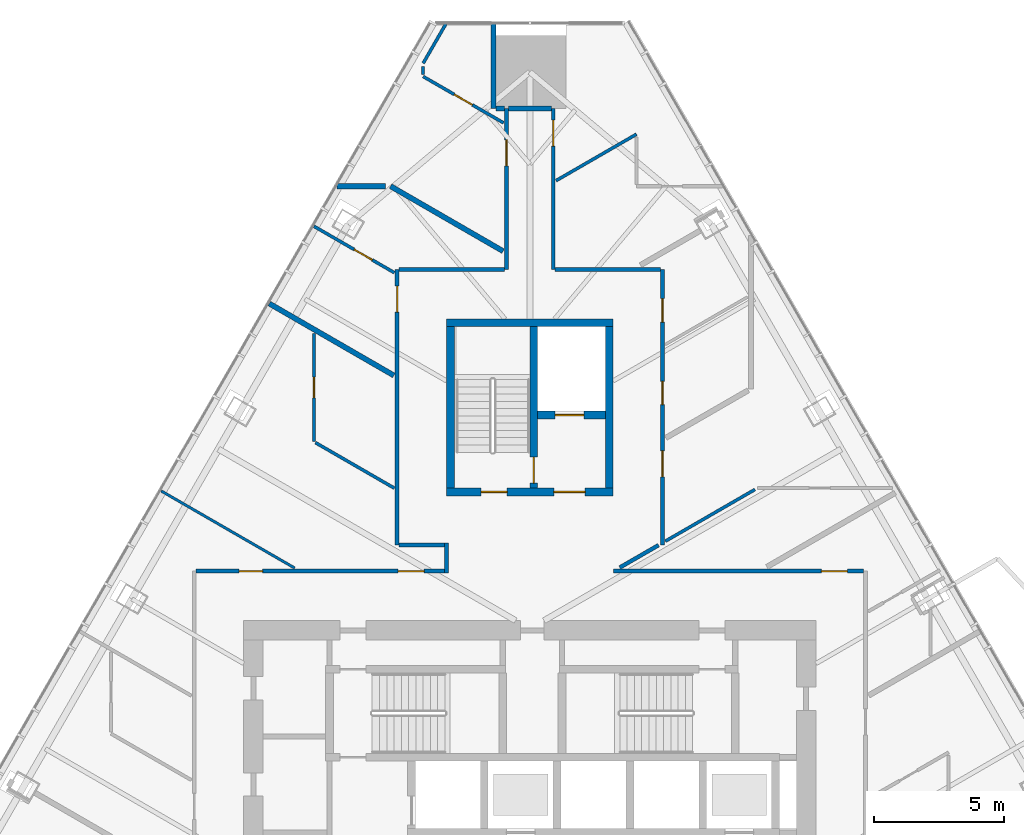
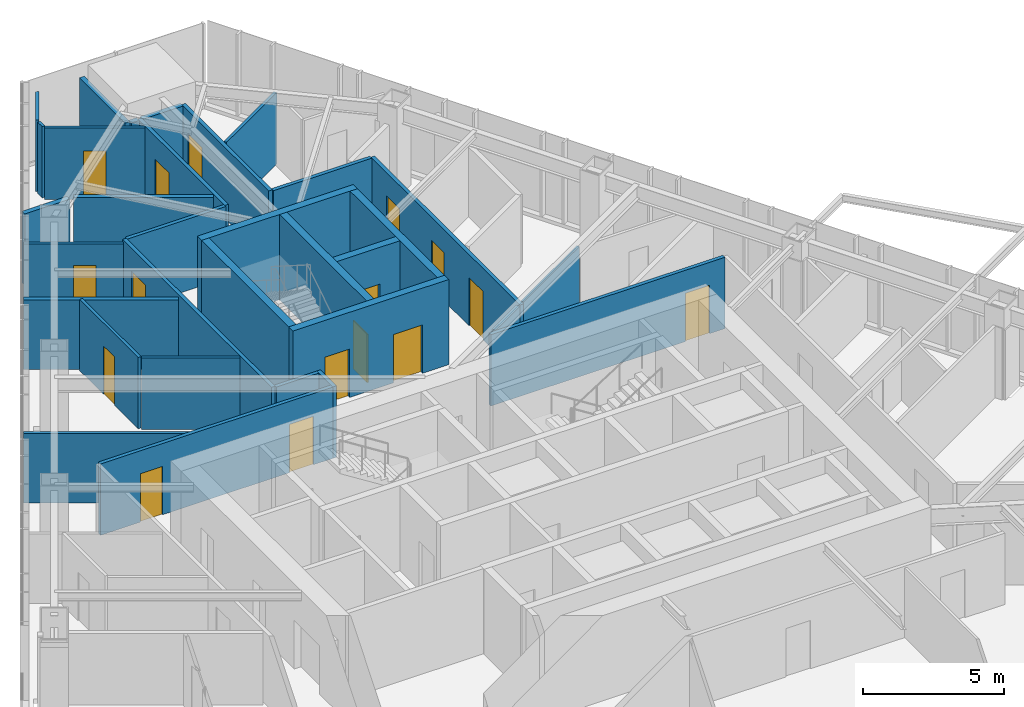
# One storey, part 17 of 21: 32 walls, 16 doors, 16 openings.
"""IFC4 building model written with IfcOpenShell, lengths in metres."""

import ifcopenshell
import ifcopenshell.guid

model = None  # the IFC model being written
_history = None  # IfcOwnerHistory: only IFC2X3 demands one
_inside = {}  # id of a spatial element -> (the spatial element, [elements in it])
_under = {}  # id of a project, library or spatial element -> (it, [spatial elements below it])
_declared = {}  # id of a project -> (the project, [libraries it declares])
_typed = {}  # id of a type object -> (the type object, [elements of that type])
_made_of = {}  # id of a material, layer set ... -> (it, [elements and type objects made of it])


def new_model(schema):
    """Start an empty IFC model of exactly this schema.

    Asked for "IFC4X3", IfcOpenShell would pick the latest addendum, in which some entities
    have other attributes; the version numbers below select the first issue.
    IFC2X3 requires an IfcOwnerHistory on every rooted entity: one is made here for all.
    """
    global model, _history
    if schema == "IFC4X3":
        model = ifcopenshell.file(schema_version=(4, 3, 0, 0))
    else:
        model = ifcopenshell.file(schema=schema)
    _inside.clear()
    _under.clear()
    _declared.clear()
    _typed.clear()
    _made_of.clear()
    _history = None
    if model.schema == "IFC2X3":
        org = make("IfcOrganization", Name="unknown")
        user = make(
            "IfcPersonAndOrganization",
            ThePerson=make("IfcPerson", FamilyName="unknown"),
            TheOrganization=org,
        )
        app = make(
            "IfcApplication",
            ApplicationDeveloper=org,
            Version="unknown",
            ApplicationFullName="unknown",
            ApplicationIdentifier="unknown",
        )
        _history = make(
            "IfcOwnerHistory",
            OwningUser=user,
            OwningApplication=app,
            ChangeAction="ADDED",
            CreationDate=0,
        )
    return model


def make(cls, **values):
    """One entity of the class cls with the attributes given. An attribute that is None is left unset."""
    return model.create_entity(
        cls, **{name: value for name, value in values.items() if value is not None}
    )


def rooted(cls, **values):
    """An entity with a GlobalId (a new one), such as an element, a storey or a relation."""
    return make(cls, GlobalId=ifcopenshell.guid.new(), OwnerHistory=_history, **values)


def si_unit(unit_type, name, prefix=None):
    """IfcSIUnit, for example si_unit("LENGTHUNIT", "METRE", prefix="MILLI")."""
    return make("IfcSIUnit", UnitType=unit_type, Prefix=prefix, Name=name)


def assignment(units):
    """IfcUnitAssignment: the units of a project."""
    return None if units is None else make("IfcUnitAssignment", Units=units)


def point(xyz):
    """IfcCartesianPoint."""
    return None if xyz is None else make("IfcCartesianPoint", Coordinates=xyz)


def direction(xyz):
    """IfcDirection."""
    return None if xyz is None else make("IfcDirection", DirectionRatios=xyz)


def frame(location, z_axis=None, x_axis=None):
    """IfcAxis2Placement3D, a coordinate frame: its origin and axes. An axis left out is left unset."""
    return make(
        "IfcAxis2Placement3D",
        Location=point(location),
        Axis=direction(z_axis),
        RefDirection=direction(x_axis),
    )


def frame_2d(location, x_axis=None):
    """IfcAxis2Placement2D, a coordinate frame in the plane: its origin and x axis."""
    return make(
        "IfcAxis2Placement2D", Location=point(location), RefDirection=direction(x_axis)
    )


def origin():
    """The frame at (0, 0, 0) with its axes left unset."""
    return frame((0.0, 0.0, 0.0))


def place(relative_to, where):
    """IfcLocalPlacement: puts the frame where relative to a parent placement (None: the world)."""
    return make(
        "IfcLocalPlacement", PlacementRelTo=relative_to, RelativePlacement=where
    )


def context(
    kind, dimensions, precision=None, world=None, true_north=None, identifier=None
):
    """IfcGeometricRepresentationContext, for example the 3D "Model" context."""
    return make(
        "IfcGeometricRepresentationContext",
        ContextIdentifier=identifier,
        ContextType=kind,
        CoordinateSpaceDimension=dimensions,
        Precision=precision,
        WorldCoordinateSystem=world,
        TrueNorth=true_north,
    )


def subcontext(parent, identifier, kind, view, scale=None):
    """IfcGeometricRepresentationSubContext, for example "Body" below "Model"."""
    return make(
        "IfcGeometricRepresentationSubContext",
        ContextIdentifier=identifier,
        ContextType=kind,
        ParentContext=parent,
        TargetScale=scale,
        TargetView=view,
    )


def project(units=None, contexts=None):
    """IfcProject with its units and contexts."""
    return rooted(
        "IfcProject",
        Name="project",
        RepresentationContexts=contexts,
        UnitsInContext=assignment(units),
    )


def spatial(cls, under=None, at=None, **own):
    """A site, building, storey or space (cls), placed at a placement, below another one or the project."""
    s = rooted(cls, ObjectPlacement=at, **own)
    if under is not None:
        _under.setdefault(under.id(), (under, []))[1].append(s)
    return s


def profile(cls, at=None, kind="AREA", **sizes):
    """A parametric profile (cls). Its sizes go by their IFC names, for example OverallWidth=200.0."""
    return make(cls, ProfileType=kind, Position=at, **sizes)


def rectangle(**sizes):
    """IfcRectangleProfileDef."""
    return profile("IfcRectangleProfileDef", **sizes)


def extrude(swept, where, along, depth):
    """IfcExtrudedAreaSolid: the profile swept, set in the frame where, extruded along a direction by depth."""
    return make(
        "IfcExtrudedAreaSolid",
        SweptArea=swept,
        Position=where,
        ExtrudedDirection=direction(along),
        Depth=depth,
    )


def shape(context_of_items, identifier, shape_type, items):
    """IfcShapeRepresentation: the items that make up one representation, for example the "Body"."""
    return make(
        "IfcShapeRepresentation",
        ContextOfItems=context_of_items,
        RepresentationIdentifier=identifier,
        RepresentationType=shape_type,
        Items=items,
    )


def material(Name=None, Category=None):
    """IfcMaterial."""
    return make("IfcMaterial", Name=Name, Category=Category)


def layer(
    of_material, thickness, ventilated=None, Name=None, Category=None, Priority=None
):
    """IfcMaterialLayer: one layer of a wall or slab, of a material (None: an air gap)."""
    return make(
        "IfcMaterialLayer",
        Material=of_material,
        LayerThickness=thickness,
        IsVentilated=ventilated,
        Name=Name,
        Category=Category,
        Priority=Priority,
    )


def layer_set(layers, Name=None):
    """IfcMaterialLayerSet."""
    return make("IfcMaterialLayerSet", MaterialLayers=layers, LayerSetName=Name)


def made_of(thing, what):
    """Note that an element or type object is made of a material, layer set ...; save() writes the relation."""
    if what is not None:
        _made_of.setdefault(what.id(), (what, []))[1].append(thing)
    return thing


def type_object(cls, material=None, **own):
    """A type object (cls), such as IfcWallType, which elements share."""
    return made_of(rooted(cls, **own), material)


def element(
    cls,
    number,
    at=None,
    inside=None,
    cuts=None,
    type_object=None,
    material=None,
    context=None,
    identifier="Body",
    shape_type=None,
    held_by="IfcProductDefinitionShape",
    body=None,
    shapes=None,
    **own,
):
    """One element of the class cls, such as IfcWall. Its Tag is "e" and its number.

    at: its placement. inside: the storey or other place that contains it. cuts: it is an
    opening in that element (IfcRelVoidsElement). A single representation is given by context,
    identifier, shape_type and body (its items); several are given by shapes. held_by: the class
    of the entity that holds the representations. save() writes the other relations.
    """
    e = rooted(cls, Tag="e%d" % number, ObjectPlacement=at, **own)
    if body is not None:
        shapes = [shape(context, identifier, shape_type, body)]
    if shapes is not None:
        e.Representation = make(held_by, Representations=shapes)
    if inside is not None:
        _inside.setdefault(inside.id(), (inside, []))[1].append(e)
    if cuts is not None:
        rooted(
            "IfcRelVoidsElement", RelatingBuildingElement=cuts, RelatedOpeningElement=e
        )
    if type_object is not None:
        _typed.setdefault(type_object.id(), (type_object, []))[1].append(e)
    return made_of(e, material)


def fill(opening, filler):
    """IfcRelFillsElement: the door or window that sits in an opening."""
    return rooted(
        "IfcRelFillsElement",
        RelatingOpeningElement=opening,
        RelatedBuildingElement=filler,
    )


def aggregate(whole, parts):
    """IfcRelAggregates: a whole, such as a stair, and the parts it consists of."""
    return rooted("IfcRelAggregates", RelatingObject=whole, RelatedObjects=parts)


def save(model, path):
    """Write the relations noted so far, then the file.

    IfcRelAggregates (storeys below a building ...), IfcRelContainedInSpatialStructure (elements
    in a storey), IfcRelDefinesByType, IfcRelAssociatesMaterial and IfcRelDeclares: one each for
    every whole, place, type object, material and project.
    """
    for whole, parts in _under.values():
        aggregate(whole, parts)
    for where, things in _inside.values():
        rooted(
            "IfcRelContainedInSpatialStructure",
            RelatedElements=things,
            RelatingStructure=where,
        )
    for kind, things in _typed.values():
        rooted("IfcRelDefinesByType", RelatedObjects=things, RelatingType=kind)
    for what, things in _made_of.values():
        rooted("IfcRelAssociatesMaterial", RelatedObjects=things, RelatingMaterial=what)
    for by, libraries in _declared.values():
        rooted("IfcRelDeclares", RelatingContext=by, RelatedDefinitions=libraries)
    model.write(path)


model = new_model("IFC4")

# Units and contexts
model_context = context("Model", 3, precision=1e-05, world=origin(), true_north=direction((0.0, 1.0)))
body_context = subcontext(model_context, "Body", "Model", "MODEL_VIEW")
ifc_project = project(units=[si_unit("LENGTHUNIT", "METRE"), si_unit("AREAUNIT", "SQUARE_METRE"), si_unit("VOLUMEUNIT", "CUBIC_METRE"), si_unit("PLANEANGLEUNIT", "RADIAN"), si_unit("MASSUNIT", "GRAM", prefix="KILO")], contexts=[model_context])

# Site, building, storey
site_placement = place(None, origin())
site = spatial("IfcSite", under=ifc_project, at=site_placement, CompositionType="ELEMENT")
building_placement = place(site_placement, origin())
building = spatial("IfcBuilding", under=site, at=building_placement, Name="Firuza Gate Tower and Library", CompositionType="ELEMENT")
storey_placement = place(building_placement, frame((0.0, 0.0, 222.10009765625)))
storey = spatial("IfcBuildingStorey", under=building, at=storey_placement, Name="L52", CompositionType="ELEMENT", Elevation=222.10009765625)

# Wall, openings, doors
ifc_material_1 = material(Name="Concrete C80/95", Category="concrete")
ifc_layer_1 = layer(ifc_material_1, 0.300048828125)
ifc_layer_set_1 = layer_set([ifc_layer_1], Name="Core wall 300 C80/95")
wall_type_1 = type_object("IfcWallType", Name="Core wall 300 C80/95", PredefinedType="SHEAR", material=ifc_layer_set_1)
wall_1_placement = place(storey_placement, frame((71.800048828125, 87.949951171875, 0.0), z_axis=(0.0, 0.0, 1.0), x_axis=(1.0, 0.0, 0.0)))
wall_1 = element("IfcWall", 1, at=wall_1_placement, inside=storey, type_object=wall_type_1, Name="Core wall L52 27", PredefinedType="SHEAR", context=body_context, shape_type="SweptSolid", body=[
    extrude(rectangle(XDim=6.39990234375, YDim=0.300048828125, at=frame_2d((3.199951171875, 0.0))), origin(), (0.0, 0.0, 1.0), 3.699951171875),
])
opening_1_placement = place(wall_1_placement, frame((1.324951171875, 0.0, 0.0)))
opening_1 = element("IfcOpeningElement", 2, at=opening_1_placement, cuts=wall_1, Name="Opening L52-K15", PredefinedType="OPENING", context=body_context, shape_type="SweptSolid", body=[
    extrude(rectangle(XDim=1.0, YDim=2.10009765625, at=frame_2d((0.5, 1.050048828125))), frame((0.0, 0.16015625, 0.0), z_axis=(0.0, -1.0, 0.0), x_axis=(1.0, 0.0, 0.0)), (0.0, 0.0, 1.0), 0.320068359375),
])
opening_2_placement = place(wall_1_placement, frame((4.125, 0.0, 0.0)))
opening_2 = element("IfcOpeningElement", 3, at=opening_2_placement, cuts=wall_1, Name="Opening L52-K17", PredefinedType="OPENING", context=body_context, shape_type="SweptSolid", body=[
    extrude(rectangle(XDim=1.199951171875, YDim=2.10009765625, at=frame_2d((0.60009765625, 1.050048828125))), frame((0.0, 0.16015625, 0.0), z_axis=(0.0, -1.0, 0.0), x_axis=(1.0, 0.0, 0.0)), (0.0, 0.0, 1.0), 0.320068359375),
])
ifc_material_2 = material(Name="Steel", Category="steel")
door_type_1 = type_object("IfcDoorType", Name="Fire door 1000x2100 FD90", OperationType="NOTDEFINED", PredefinedType="DOOR", material=ifc_material_2)
door_1_placement = place(opening_1_placement, origin())
door_1 = element("IfcDoor", 4, at=door_1_placement, inside=storey, type_object=door_type_1, Name="Door L52-K15", OperationType="SINGLE_SWING_RIGHT", OverallHeight=2.10009765625, OverallWidth=1.0, PredefinedType="DOOR", context=body_context, shape_type="SweptSolid", body=[
    extrude(rectangle(XDim=1.0, YDim=2.10009765625, at=frame_2d((0.5, 1.050048828125))), frame((0.0, 0.02490234375, 0.0), z_axis=(0.0, -1.0, 0.0), x_axis=(1.0, 0.0, 0.0)), (0.0, 0.0, 1.0), 0.050048828125),
])
fill(opening_1, door_1)
ifc_material_3 = material(Name="Steel", Category="steel")
door_type_2 = type_object("IfcDoorType", Name="Fire door 1200x2100 FD30S", OperationType="NOTDEFINED", PredefinedType="DOOR", material=ifc_material_3)
door_2_placement = place(opening_2_placement, origin())
door_2 = element("IfcDoor", 5, at=door_2_placement, inside=storey, type_object=door_type_2, Name="Door L52-K17", OperationType="SINGLE_SWING_RIGHT", OverallHeight=2.10009765625, OverallWidth=1.199951171875, PredefinedType="DOOR", context=body_context, shape_type="SweptSolid", body=[
    extrude(rectangle(XDim=1.199951171875, YDim=2.10009765625, at=frame_2d((0.60009765625, 1.050048828125))), frame((0.0, 0.02490234375, 0.0), z_axis=(0.0, -1.0, 0.0), x_axis=(1.0, 0.0, 0.0)), (0.0, 0.0, 1.0), 0.050048828125),
])
fill(opening_2, door_2)

# Walls
wall_2_placement = place(storey_placement, frame((71.800048828125, 94.449951171875, 0.0), z_axis=(0.0, 0.0, 1.0), x_axis=(1.0, 0.0, 0.0)))
element("IfcWall", 6, at=wall_2_placement, inside=storey, type_object=wall_type_1, Name="Core wall L52 28", PredefinedType="SHEAR", context=body_context, shape_type="SweptSolid", body=[
    extrude(rectangle(XDim=6.39990234375, YDim=0.300048828125, at=frame_2d((3.199951171875, 0.0))), origin(), (0.0, 0.0, 1.0), 3.699951171875),
])
for number, where, z_axis, x_axis, name in (
    (7, (71.949951171875, 88.10009765625, 0.0), (0.0, 0.0, 1.0), (0.0, 1.0, 0.0), "Core wall L52 29"),
    (8, (78.050048828125, 88.10009765625, 0.0), (0.0, 0.0, 1.0), (0.0, 1.0, 0.0), "Core wall L52 30"),
):
    element("IfcWall", number, at=place(storey_placement, frame(where, z_axis=z_axis, x_axis=x_axis)), inside=storey, type_object=wall_type_1, Name=name, PredefinedType="SHEAR", context=body_context, shape_type="SweptSolid", body=[
        extrude(rectangle(XDim=6.199951171875, YDim=0.300048828125, at=frame_2d((3.10009765625, 0.0))), origin(), (0.0, 0.0, 1.0), 3.699951171875),
    ])

# Wall, opening, door
wall_3_placement = place(storey_placement, frame((75.300048828125, 90.89990234375, 0.0), z_axis=(0.0, 0.0, 1.0), x_axis=(1.0, 0.0, 0.0)))
wall_3 = element("IfcWall", 9, at=wall_3_placement, inside=storey, type_object=wall_type_1, Name="Core wall L52 31", PredefinedType="SHEAR", context=body_context, shape_type="SweptSolid", body=[
    extrude(rectangle(XDim=2.599853515625, YDim=0.300048828125, at=frame_2d((1.2998046875, 0.0))), origin(), (0.0, 0.0, 1.0), 3.699951171875),
])
opening_3_placement = place(wall_3_placement, frame((0.675048828125, 0.0, 0.0)))
opening_3 = element("IfcOpeningElement", 10, at=opening_3_placement, cuts=wall_3, Name="Opening LD-SV1-L52", PredefinedType="OPENING", context=body_context, shape_type="SweptSolid", body=[
    extrude(rectangle(XDim=1.10009765625, YDim=2.10009765625, at=frame_2d((0.550048828125, 1.050048828125))), frame((0.0, 0.16015625, 0.0), z_axis=(0.0, -1.0, 0.0), x_axis=(1.0, 0.0, 0.0)), (0.0, 0.0, 1.0), 0.320068359375),
])
ifc_material_4 = material(Name="Stainless steel", Category="steel")
door_type_3 = type_object("IfcDoorType", Name="Lift landing door 1100x2100", OperationType="DOUBLE_DOOR_SLIDING", PredefinedType="DOOR", material=ifc_material_4)
door_3_placement = place(opening_3_placement, origin())
door_3 = element("IfcDoor", 11, at=door_3_placement, inside=storey, type_object=door_type_3, Name="Landing door SV1 L52", OperationType="DOUBLE_DOOR_SLIDING", OverallHeight=2.10009765625, OverallWidth=1.10009765625, PredefinedType="DOOR", context=body_context, shape_type="SweptSolid", body=[
    extrude(rectangle(XDim=1.10009765625, YDim=2.10009765625, at=frame_2d((0.550048828125, 1.050048828125))), frame((0.0, 0.02490234375, 0.0), z_axis=(0.0, -1.0, 0.0), x_axis=(1.0, 0.0, 0.0)), (0.0, 0.0, 1.0), 0.050048828125),
])
fill(opening_3, door_3)

wall_4_placement = place(storey_placement, frame((75.14990234375, 88.10009765625, 0.0), z_axis=(0.0, 0.0, 1.0), x_axis=(0.0, 1.0, 0.0)))
wall_4 = element("IfcWall", 12, at=wall_4_placement, inside=storey, type_object=wall_type_1, Name="Core wall L52 32", PredefinedType="SHEAR", context=body_context, shape_type="SweptSolid", body=[
    extrude(rectangle(XDim=6.199951171875, YDim=0.300048828125, at=frame_2d((3.10009765625, 0.0))), origin(), (0.0, 0.0, 1.0), 3.699951171875),
])
opening_4_placement = place(wall_4_placement, frame((0.18505859375, 0.0, 0.0)))
opening_4 = element("IfcOpeningElement", 13, at=opening_4_placement, cuts=wall_4, Name="Opening L52-K16", PredefinedType="OPENING", context=body_context, shape_type="SweptSolid", body=[
    extrude(rectangle(XDim=1.0, YDim=2.10009765625, at=frame_2d((0.5, 1.050048828125))), frame((0.0, 0.16015625, 0.0), z_axis=(0.0, -1.0, 0.0), x_axis=(1.0, 0.0, 0.0)), (0.0, 0.0, 1.0), 0.320068359375),
])
door_4_placement = place(opening_4_placement, origin())
door_4 = element("IfcDoor", 14, at=door_4_placement, inside=storey, type_object=door_type_1, Name="Door L52-K16", OperationType="SINGLE_SWING_LEFT", OverallHeight=2.10009765625, OverallWidth=1.0, PredefinedType="DOOR", context=body_context, shape_type="SweptSolid", body=[
    extrude(rectangle(XDim=1.0, YDim=2.10009765625, at=frame_2d((0.5, 1.050048828125))), frame((0.0, 0.02490234375, 0.0), z_axis=(0.0, -1.0, 0.0), x_axis=(1.0, 0.0, 0.0)), (0.0, 0.0, 1.0), 0.050048828125),
])
fill(opening_4, door_4)

# Wall, openings, doors
ifc_material_5 = material(Name="Gypsum board partition")
ifc_layer_2 = layer(ifc_material_5, 0.14990234375)
ifc_layer_set_2 = layer_set([ifc_layer_2], Name="Corridor wall 150 double board on steel studs")
wall_type_2 = type_object("IfcWallType", Name="Corridor wall 150 double board on steel studs", PredefinedType="PARTITIONING", material=ifc_layer_set_2)
wall_5_placement = place(storey_placement, frame((62.175537109375, 84.89990234375, 0.0), z_axis=(0.0, 0.0, 1.0), x_axis=(1.0, 0.0, 0.0)))
wall_5 = element("IfcWall", 15, at=wall_5_placement, inside=storey, type_object=wall_type_2, Name="f:L52:w003", PredefinedType="PARTITIONING", context=body_context, shape_type="SweptSolid", body=[
    extrude(rectangle(XDim=9.549560546875, YDim=0.14990234375, at=frame_2d((4.77490234375, 0.0))), origin(), (0.0, 0.0, 1.0), 3.096923828125),
])
opening_5_placement = place(wall_5_placement, frame((1.64892578125, 0.0, 0.0)))
opening_5 = element("IfcOpeningElement", 16, at=opening_5_placement, cuts=wall_5, Name="Opening L52-05", PredefinedType="OPENING", context=body_context, shape_type="SweptSolid", body=[
    extrude(rectangle(XDim=0.89990234375, YDim=2.10009765625, at=frame_2d((0.449951171875, 1.050048828125))), frame((0.0, 0.0849609375, 0.0), z_axis=(0.0, -1.0, 0.0), x_axis=(1.0, 0.0, 0.0)), (0.0, 0.0, 1.0), 0.169921875),
])
opening_6_placement = place(wall_5_placement, frame((7.759033203125, 0.0, 0.0)))
opening_6 = element("IfcOpeningElement", 17, at=opening_6_placement, cuts=wall_5, Name="Opening L52-06", PredefinedType="OPENING", context=body_context, shape_type="SweptSolid", body=[
    extrude(rectangle(XDim=1.0, YDim=2.10009765625, at=frame_2d((0.5, 1.050048828125))), frame((0.0, 0.0849609375, 0.0), z_axis=(0.0, -1.0, 0.0), x_axis=(1.0, 0.0, 0.0)), (0.0, 0.0, 1.0), 0.169921875),
])
ifc_material_6 = material(Name="Steel door and timber leaf", Category="steel")
door_type_4 = type_object("IfcDoorType", Name="Fire door 1000 x 2100 steel frame, timber leaf", OperationType="NOTDEFINED", PredefinedType="DOOR", material=ifc_material_6)
door_5_placement = place(opening_6_placement, origin())
door_5 = element("IfcDoor", 18, at=door_5_placement, inside=storey, type_object=door_type_4, Name="f:L52:d006", OperationType="SINGLE_SWING_LEFT", OverallHeight=2.10009765625, OverallWidth=1.0, PredefinedType="DOOR", context=body_context, shape_type="SweptSolid", body=[
    extrude(rectangle(XDim=1.0, YDim=2.10009765625, at=frame_2d((0.5, 1.050048828125))), frame((0.0, 0.02490234375, 0.0), z_axis=(0.0, -1.0, 0.0), x_axis=(1.0, 0.0, 0.0)), (0.0, 0.0, 1.0), 0.050048828125),
])
fill(opening_6, door_5)
ifc_material_7 = material(Name="Steel door and timber leaf", Category="steel")
door_type_5 = type_object("IfcDoorType", Name="Fire door 900 x 2100 steel frame, timber leaf", OperationType="NOTDEFINED", PredefinedType="DOOR", material=ifc_material_7)
door_6_placement = place(opening_5_placement, origin())
door_6 = element("IfcDoor", 19, at=door_6_placement, inside=storey, type_object=door_type_5, Name="f:L52:d005", OperationType="SINGLE_SWING_LEFT", OverallHeight=2.10009765625, OverallWidth=0.89990234375, PredefinedType="DOOR", context=body_context, shape_type="SweptSolid", body=[
    extrude(rectangle(XDim=0.89990234375, YDim=2.10009765625, at=frame_2d((0.449951171875, 1.050048828125))), frame((0.0, 0.02490234375, 0.0), z_axis=(0.0, -1.0, 0.0), x_axis=(1.0, 0.0, 0.0)), (0.0, 0.0, 1.0), 0.050048828125),
])
fill(opening_5, door_6)

# Wall, opening, door
wall_6_placement = place(storey_placement, frame((78.21533203125, 84.89990234375, 0.0), z_axis=(0.0, 0.0, 1.0), x_axis=(1.0, 0.0, 0.0)))
wall_6 = element("IfcWall", 20, at=wall_6_placement, inside=storey, type_object=wall_type_2, Name="f:L52:w004", PredefinedType="PARTITIONING", context=body_context, shape_type="SweptSolid", body=[
    extrude(rectangle(XDim=9.609130859375, YDim=0.14990234375, at=frame_2d((4.8046875, 0.0))), origin(), (0.0, 0.0, 1.0), 3.096923828125),
])
opening_7_placement = place(wall_6_placement, frame((7.989501953125, 0.0, 0.0)))
opening_7 = element("IfcOpeningElement", 21, at=opening_7_placement, cuts=wall_6, Name="Opening L52-07", PredefinedType="OPENING", context=body_context, shape_type="SweptSolid", body=[
    extrude(rectangle(XDim=1.0, YDim=2.10009765625, at=frame_2d((0.5, 1.050048828125))), frame((0.0, 0.0849609375, 0.0), z_axis=(0.0, -1.0, 0.0), x_axis=(1.0, 0.0, 0.0)), (0.0, 0.0, 1.0), 0.169921875),
])
door_7_placement = place(opening_7_placement, origin())
door_7 = element("IfcDoor", 22, at=door_7_placement, inside=storey, type_object=door_type_4, Name="f:L52:d007", OperationType="SINGLE_SWING_LEFT", OverallHeight=2.10009765625, OverallWidth=1.0, PredefinedType="DOOR", context=body_context, shape_type="SweptSolid", body=[
    extrude(rectangle(XDim=1.0, YDim=2.10009765625, at=frame_2d((0.5, 1.050048828125))), frame((0.0, 0.02490234375, 0.0), z_axis=(0.0, -1.0, 0.0), x_axis=(1.0, 0.0, 0.0)), (0.0, 0.0, 1.0), 0.050048828125),
])
fill(opening_7, door_7)

# Walls
wall_7_placement = place(storey_placement, frame((69.9755859375, 85.89990234375, 0.0), z_axis=(0.0, 0.0, 1.0), x_axis=(1.0, 0.0, 0.0)))
element("IfcWall", 23, at=wall_7_placement, inside=storey, type_object=wall_type_2, Name="f:L52:w005", PredefinedType="PARTITIONING", context=body_context, shape_type="SweptSolid", body=[
    extrude(rectangle(XDim=1.74951171875, YDim=0.14990234375, at=frame_2d((0.874755859375, 0.0))), origin(), (0.0, 0.0, 1.0), 3.099853515625),
])
for number, where, z_axis, x_axis, name in (
    (24, (69.9755859375, 96.5, 0.0), (0.0, 0.0, 1.0), (1.0, 0.0, 0.0), "f:L52:w007"),
    (25, (75.97509765625, 96.5, 0.0), (0.0, 0.0, 1.0), (1.0, 0.0, 0.0), "f:L52:w008"),
):
    element("IfcWall", number, at=place(storey_placement, frame(where, z_axis=z_axis, x_axis=x_axis)), inside=storey, type_object=wall_type_2, Name=name, PredefinedType="PARTITIONING", context=body_context, shape_type="SweptSolid", body=[
        extrude(rectangle(XDim=4.04931640625, YDim=0.14990234375, at=frame_2d((2.024658203125, 0.0))), origin(), (0.0, 0.0, 1.0), 3.099853515625),
    ])
wall_8_placement = place(storey_placement, frame((78.457763671875, 85.0400390625, 0.0), z_axis=(0.0, 0.0, 1.0), x_axis=(0.865989383878, 0.500062383118, 0.0)))
element("IfcWall", 26, at=wall_8_placement, inside=storey, type_object=wall_type_2, Name="f:L52:w026", PredefinedType="PARTITIONING", context=body_context, shape_type="SweptSolid", body=[
    extrude(rectangle(XDim=1.719970703125, YDim=0.14990234375, at=frame_2d((0.85986328125, 0.0))), origin(), (0.0, 0.0, 1.0), 3.099853515625),
])

# Wall, openings, doors
wall_9_placement = place(storey_placement, frame((80.10009765625, 96.49951171875, 0.0), z_axis=(0.0, 0.0, 1.0), x_axis=(0.0, -1.0, 0.0)))
wall_9 = element("IfcWall", 27, at=wall_9_placement, inside=storey, type_object=wall_type_2, Name="f:L52:w045", PredefinedType="PARTITIONING", context=body_context, shape_type="SweptSolid", body=[
    extrude(rectangle(XDim=10.599609375, YDim=0.14990234375, at=frame_2d((5.2998046875, 0.0))), origin(), (0.0, 0.0, 1.0), 3.099853515625),
])
opening_8_placement = place(wall_9_placement, frame((1.12548828125, 0.0, 0.0)))
opening_8 = element("IfcOpeningElement", 28, at=opening_8_placement, cuts=wall_9, Name="Opening L52-19", PredefinedType="OPENING", context=body_context, shape_type="SweptSolid", body=[
    extrude(rectangle(XDim=0.89990234375, YDim=2.10009765625, at=frame_2d((0.449951171875, 1.050048828125))), frame((0.0, 0.0849609375, 0.0), z_axis=(0.0, -1.0, 0.0), x_axis=(1.0, 0.0, 0.0)), (0.0, 0.0, 1.0), 0.169921875),
])
opening_9_placement = place(wall_9_placement, frame((4.298583984375, 0.0, 0.0)))
opening_9 = element("IfcOpeningElement", 29, at=opening_9_placement, cuts=wall_9, Name="Opening L52-20", PredefinedType="OPENING", context=body_context, shape_type="SweptSolid", body=[
    extrude(rectangle(XDim=0.89990234375, YDim=2.10009765625, at=frame_2d((0.449951171875, 1.050048828125))), frame((0.0, 0.0849609375, 0.0), z_axis=(0.0, -1.0, 0.0), x_axis=(1.0, 0.0, 0.0)), (0.0, 0.0, 1.0), 0.169921875),
])
opening_10_placement = place(wall_9_placement, frame((6.97412109375, 0.0, 0.0)))
opening_10 = element("IfcOpeningElement", 30, at=opening_10_placement, cuts=wall_9, Name="Opening L52-21", PredefinedType="OPENING", context=body_context, shape_type="SweptSolid", body=[
    extrude(rectangle(XDim=1.0, YDim=2.10009765625, at=frame_2d((0.5, 1.050048828125))), frame((0.0, 0.0849609375, 0.0), z_axis=(0.0, -1.0, 0.0), x_axis=(1.0, 0.0, 0.0)), (0.0, 0.0, 1.0), 0.169921875),
])
door_8_placement = place(opening_10_placement, origin())
door_8 = element("IfcDoor", 31, at=door_8_placement, inside=storey, type_object=door_type_4, Name="f:L52:d021", OperationType="SINGLE_SWING_RIGHT", OverallHeight=2.10009765625, OverallWidth=1.0, PredefinedType="DOOR", context=body_context, shape_type="SweptSolid", body=[
    extrude(rectangle(XDim=1.0, YDim=2.10009765625, at=frame_2d((0.5, 1.050048828125))), frame((0.0, 0.02490234375, 0.0), z_axis=(0.0, -1.0, 0.0), x_axis=(1.0, 0.0, 0.0)), (0.0, 0.0, 1.0), 0.050048828125),
])
fill(opening_10, door_8)
door_9_placement = place(opening_8_placement, origin())
door_9 = element("IfcDoor", 32, at=door_9_placement, inside=storey, type_object=door_type_5, Name="f:L52:d019", OperationType="SINGLE_SWING_LEFT", OverallHeight=2.10009765625, OverallWidth=0.89990234375, PredefinedType="DOOR", context=body_context, shape_type="SweptSolid", body=[
    extrude(rectangle(XDim=0.89990234375, YDim=2.10009765625, at=frame_2d((0.449951171875, 1.050048828125))), frame((0.0, 0.02490234375, 0.0), z_axis=(0.0, -1.0, 0.0), x_axis=(1.0, 0.0, 0.0)), (0.0, 0.0, 1.0), 0.050048828125),
])
fill(opening_8, door_9)
door_10_placement = place(opening_9_placement, origin())
door_10 = element("IfcDoor", 33, at=door_10_placement, inside=storey, type_object=door_type_5, Name="f:L52:d020", OperationType="SINGLE_SWING_RIGHT", OverallHeight=2.10009765625, OverallWidth=0.89990234375, PredefinedType="DOOR", context=body_context, shape_type="SweptSolid", body=[
    extrude(rectangle(XDim=0.89990234375, YDim=2.10009765625, at=frame_2d((0.449951171875, 1.050048828125))), frame((0.0, 0.02490234375, 0.0), z_axis=(0.0, -1.0, 0.0), x_axis=(1.0, 0.0, 0.0)), (0.0, 0.0, 1.0), 0.050048828125),
])
fill(opening_9, door_10)

# Wall, opening, door
wall_10_placement = place(storey_placement, frame((75.89990234375, 102.69091796875, 0.0), z_axis=(0.0, 0.0, 1.0), x_axis=(0.0, -1.0, 0.0)))
wall_10 = element("IfcWall", 34, at=wall_10_placement, inside=storey, type_object=wall_type_2, Name="f:L52:w047", PredefinedType="PARTITIONING", context=body_context, shape_type="SweptSolid", body=[
    extrude(rectangle(XDim=6.19091796875, YDim=0.14990234375, at=frame_2d((3.095458984375, 0.0))), origin(), (0.0, 0.0, 1.0), 3.099853515625),
])
opening_11_placement = place(wall_10_placement, frame((0.446533203125, 0.0, 0.0)))
opening_11 = element("IfcOpeningElement", 35, at=opening_11_placement, cuts=wall_10, Name="Opening L52-22", PredefinedType="OPENING", context=body_context, shape_type="SweptSolid", body=[
    extrude(rectangle(XDim=1.0, YDim=2.10009765625, at=frame_2d((0.5, 1.050048828125))), frame((0.0, 0.0849609375, 0.0), z_axis=(0.0, -1.0, 0.0), x_axis=(1.0, 0.0, 0.0)), (0.0, 0.0, 1.0), 0.169921875),
])
door_11_placement = place(opening_11_placement, origin())
door_11 = element("IfcDoor", 36, at=door_11_placement, inside=storey, type_object=door_type_4, Name="f:L52:d022", OperationType="SINGLE_SWING_RIGHT", OverallHeight=2.10009765625, OverallWidth=1.0, PredefinedType="DOOR", context=body_context, shape_type="SweptSolid", body=[
    extrude(rectangle(XDim=1.0, YDim=2.10009765625, at=frame_2d((0.5, 1.050048828125))), frame((0.0, 0.02490234375, 0.0), z_axis=(0.0, -1.0, 0.0), x_axis=(1.0, 0.0, 0.0)), (0.0, 0.0, 1.0), 0.050048828125),
])
fill(opening_11, door_11)

wall_11_placement = place(storey_placement, frame((74.10009765625, 96.5, 0.0), z_axis=(0.0, 0.0, 1.0), x_axis=(0.0, 1.0, 0.0)))
wall_11 = element("IfcWall", 37, at=wall_11_placement, inside=storey, type_object=wall_type_2, Name="f:L52:w050", PredefinedType="PARTITIONING", context=body_context, shape_type="SweptSolid", body=[
    extrude(rectangle(XDim=6.19140625, YDim=0.14990234375, at=frame_2d((3.095703125, 0.0))), origin(), (0.0, 0.0, 1.0), 3.099853515625),
])
opening_12_placement = place(wall_11_placement, frame((3.980712890625, 0.0, 0.0)))
opening_12 = element("IfcOpeningElement", 38, at=opening_12_placement, cuts=wall_11, Name="Opening L52-23", PredefinedType="OPENING", context=body_context, shape_type="SweptSolid", body=[
    extrude(rectangle(XDim=1.0, YDim=2.10009765625, at=frame_2d((0.5, 1.050048828125))), frame((0.0, 0.0849609375, 0.0), z_axis=(0.0, -1.0, 0.0), x_axis=(1.0, 0.0, 0.0)), (0.0, 0.0, 1.0), 0.169921875),
])
door_12_placement = place(opening_12_placement, origin())
door_12 = element("IfcDoor", 39, at=door_12_placement, inside=storey, type_object=door_type_4, Name="f:L52:d023", OperationType="SINGLE_SWING_LEFT", OverallHeight=2.10009765625, OverallWidth=1.0, PredefinedType="DOOR", context=body_context, shape_type="SweptSolid", body=[
    extrude(rectangle(XDim=1.0, YDim=2.10009765625, at=frame_2d((0.5, 1.050048828125))), frame((0.0, 0.02490234375, 0.0), z_axis=(0.0, -1.0, 0.0), x_axis=(1.0, 0.0, 0.0)), (0.0, 0.0, 1.0), 0.050048828125),
])
fill(opening_12, door_12)

# Wall
wall_12_placement = place(storey_placement, frame((71.800048828125, 84.824951171875, 0.0), z_axis=(0.0, 0.0, 1.0), x_axis=(0.0, 1.0, 0.0)))
element("IfcWall", 40, at=wall_12_placement, inside=storey, type_object=wall_type_2, Name="f:L52:w052", PredefinedType="PARTITIONING", context=body_context, shape_type="SweptSolid", body=[
    extrude(rectangle(XDim=1.150146484375, YDim=0.14990234375, at=frame_2d((0.5751953125, 0.0))), origin(), (0.0, 0.0, 1.0), 3.099853515625),
])

# Wall, opening, door
wall_13_placement = place(storey_placement, frame((69.89990234375, 85.900390625, 0.0), z_axis=(0.0, 0.0, 1.0), x_axis=(0.0, 1.0, 0.0)))
wall_13 = element("IfcWall", 41, at=wall_13_placement, inside=storey, type_object=wall_type_2, Name="f:L52:w054", PredefinedType="PARTITIONING", context=body_context, shape_type="SweptSolid", body=[
    extrude(rectangle(XDim=10.59912109375, YDim=0.14990234375, at=frame_2d((5.299560546875, 0.0))), origin(), (0.0, 0.0, 1.0), 3.099853515625),
])
opening_13_placement = place(wall_13_placement, frame((8.956298828125, 0.0, 0.0)))
opening_13 = element("IfcOpeningElement", 42, at=opening_13_placement, cuts=wall_13, Name="Opening L52-24", PredefinedType="OPENING", context=body_context, shape_type="SweptSolid", body=[
    extrude(rectangle(XDim=1.0, YDim=2.10009765625, at=frame_2d((0.5, 1.050048828125))), frame((0.0, 0.0849609375, 0.0), z_axis=(0.0, -1.0, 0.0), x_axis=(1.0, 0.0, 0.0)), (0.0, 0.0, 1.0), 0.169921875),
])
door_13_placement = place(opening_13_placement, origin())
door_13 = element("IfcDoor", 43, at=door_13_placement, inside=storey, type_object=door_type_4, Name="f:L52:d024", OperationType="SINGLE_SWING_LEFT", OverallHeight=2.10009765625, OverallWidth=1.0, PredefinedType="DOOR", context=body_context, shape_type="SweptSolid", body=[
    extrude(rectangle(XDim=1.0, YDim=2.10009765625, at=frame_2d((0.5, 1.050048828125))), frame((0.0, 0.02490234375, 0.0), z_axis=(0.0, -1.0, 0.0), x_axis=(1.0, 0.0, 0.0)), (0.0, 0.0, 1.0), 0.050048828125),
])
fill(opening_13, door_13)

# Walls
ifc_material_8 = material(Name="Gypsum board partition")
ifc_layer_3 = layer(ifc_material_8, 0.199951171875)
ifc_layer_set_3 = layer_set([ifc_layer_3], Name="Demising wall 200 acoustic double stud")
wall_type_3 = type_object("IfcWallType", Name="Demising wall 200 acoustic double stud", PredefinedType="PARTITIONING", material=ifc_layer_set_3)
wall_14_placement = place(storey_placement, frame((67.594482421875, 99.699951171875, 0.0), z_axis=(0.0, 0.0, 1.0), x_axis=(1.0, 0.0, 0.0)))
element("IfcWall", 44, at=wall_14_placement, inside=storey, type_object=wall_type_3, Name="f:L52:w009", PredefinedType="PARTITIONING", context=body_context, shape_type="SweptSolid", body=[
    extrude(rectangle(XDim=1.85302734375, YDim=0.199951171875, at=frame_2d((0.926513671875, 0.0))), origin(), (0.0, 0.0, 1.0), 3.099853515625),
])
wall_15_placement = place(storey_placement, frame((73.700439453125, 102.69091796875, 0.0), z_axis=(0.0, 0.0, 1.0), x_axis=(1.0, 0.0, 0.0)))
element("IfcWall", 45, at=wall_15_placement, inside=storey, type_object=wall_type_3, Name="f:L52:w011", PredefinedType="PARTITIONING", context=body_context, shape_type="SweptSolid", body=[
    extrude(rectangle(XDim=0.324462890625, YDim=0.199951171875, at=frame_2d((0.162109375, 0.0))), origin(), (0.0, 0.0, 1.0), 3.099853515625),
])
wall_16_placement = place(storey_placement, frame((73.60009765625, 102.69189453125, 0.0), z_axis=(0.0, 0.0, 1.0), x_axis=(0.0, 1.0, 0.0)))
element("IfcWall", 46, at=wall_16_placement, inside=storey, type_object=wall_type_3, Name="f:L52:w051", PredefinedType="PARTITIONING", context=body_context, shape_type="SweptSolid", body=[
    extrude(rectangle(XDim=3.259521484375, YDim=0.199951171875, at=frame_2d((1.6298828125, 0.0))), origin(), (0.0, 0.0, 1.0), 3.099853515625),
])
wall_17_placement = place(storey_placement, frame((73.972900390625, 97.2021484375, 0.0), z_axis=(0.0, 0.0, 1.0), x_axis=(-0.866035818332, 0.499981961041, 0.0)))
element("IfcWall", 47, at=wall_17_placement, inside=storey, type_object=wall_type_3, Name="f:L52:w068", PredefinedType="PARTITIONING", context=body_context, shape_type="SweptSolid", body=[
    extrude(rectangle(XDim=4.994873046875, YDim=0.199951171875, at=frame_2d((2.49755859375, 0.0))), origin(), (0.0, 0.0, 1.0), 3.099853515625),
])
wall_18_placement = place(storey_placement, frame((69.77294921875, 92.424072265625, 0.0), z_axis=(0.0, 0.0, 1.0), x_axis=(-0.866031780221, 0.499988955525, 0.0)))
element("IfcWall", 48, at=wall_18_placement, inside=storey, type_object=wall_type_3, Name="f:L52:w070", PredefinedType="PARTITIONING", context=body_context, shape_type="SweptSolid", body=[
    extrude(rectangle(XDim=5.5244140625, YDim=0.199951171875, at=frame_2d((2.76220703125, 0.0))), origin(), (0.0, 0.0, 1.0), 3.02197265625),
])
wall_19_placement = place(storey_placement, frame((74.175048828125, 102.69091796875, 0.0), z_axis=(0.0, 0.0, 1.0), x_axis=(1.0, 0.0, 0.0)))
element("IfcWall", 49, at=wall_19_placement, inside=storey, type_object=wall_type_3, Name="f:L52:w086", PredefinedType="PARTITIONING", context=body_context, shape_type="SweptSolid", body=[
    extrude(rectangle(XDim=1.6494140625, YDim=0.199951171875, at=frame_2d((0.82470703125, 0.0))), origin(), (0.0, 0.0, 1.0), 3.096923828125),
])
ifc_material_9 = material(Name="Gypsum board partition")
ifc_layer_4 = layer(ifc_material_9, 0.10009765625)
ifc_layer_set_4 = layer_set([ifc_layer_4], Name="Partition 100 gypsum board on steel studs")
wall_type_4 = type_object("IfcWallType", Name="Partition 100 gypsum board on steel studs", PredefinedType="PARTITIONING", material=ifc_layer_set_4)
wall_20_placement = place(storey_placement, frame((65.962646484375, 85.020263671875, 0.0), z_axis=(0.0, 0.0, 1.0), x_axis=(-0.866029186229, 0.499993448556, 0.0)))
element("IfcWall", 50, at=wall_20_placement, inside=storey, type_object=wall_type_4, Name="f:L52:w072", PredefinedType="PARTITIONING", context=body_context, shape_type="SweptSolid", body=[
    extrude(rectangle(XDim=5.9267578125, YDim=0.10009765625, at=frame_2d((2.96337890625, 0.0))), origin(), (0.0, 0.0, 1.0), 3.02197265625),
])
ifc_material_10 = material(Name="Gypsum board partition")
ifc_layer_5 = layer(ifc_material_10, 0.1201171875)
ifc_layer_set_5 = layer_set([ifc_layer_5], Name="Wet-area partition 120 moisture-resistant board")
wall_type_5 = type_object("IfcWallType", Name="Wet-area partition 120 moisture-resistant board", PredefinedType="PARTITIONING", material=ifc_layer_set_5)
wall_21_placement = place(storey_placement, frame((80.20947265625, 86.051513671875, 0.0), z_axis=(0.0, 0.0, 1.0), x_axis=(0.866032250876, 0.499988140302, 0.0)))
element("IfcWall", 51, at=wall_21_placement, inside=storey, type_object=wall_type_5, Name="f:L52:w027", PredefinedType="PARTITIONING", context=body_context, shape_type="SweptSolid", body=[
    extrude(rectangle(XDim=3.97705078125, YDim=0.1201171875, at=frame_2d((1.988525390625, 0.0))), origin(), (0.0, 0.0, 1.0), 3.099853515625),
])
wall_22_placement = place(storey_placement, frame((76.009765625, 99.913818359375, 0.0), z_axis=(0.0, 0.0, 1.0), x_axis=(0.866028357664, 0.499994883695, 0.0)))
element("IfcWall", 52, at=wall_22_placement, inside=storey, type_object=wall_type_5, Name="f:L52:w032", PredefinedType="PARTITIONING", context=body_context, shape_type="SweptSolid", body=[
    extrude(rectangle(XDim=3.568359375, YDim=0.1201171875, at=frame_2d((1.7841796875, 0.0))), origin(), (0.0, 0.0, 1.0), 3.099853515625),
])
wall_23_placement = place(storey_placement, frame((70.899658203125, 104.42578125, 0.0), z_axis=(0.0, 0.0, 1.0), x_axis=(0.500014360914, 0.866017112348, 0.0)))
element("IfcWall", 53, at=wall_23_placement, inside=storey, type_object=wall_type_5, Name="f:L52:w037", PredefinedType="PARTITIONING", context=body_context, shape_type="SweptSolid", body=[
    extrude(rectangle(XDim=1.76171875, YDim=0.1201171875, at=frame_2d((0.880859375, 0.0))), origin(), (0.0, 0.0, 1.0), 3.099853515625),
])
wall_24_placement = place(storey_placement, frame((70.89990234375, 103.986083984375, 0.0), z_axis=(0.0, 0.0, 1.0), x_axis=(0.0, 1.0, 0.0)))
element("IfcWall", 54, at=wall_24_placement, inside=storey, type_object=wall_type_5, Name="f:L52:w053", PredefinedType="PARTITIONING", context=body_context, shape_type="SweptSolid", body=[
    extrude(rectangle(XDim=0.3193359375, YDim=0.1201171875, at=frame_2d((0.15966796875, 0.0))), origin(), (0.0, 0.0, 1.0), 3.099853515625),
])

# Wall, opening, door
wall_25_placement = place(storey_placement, frame((66.699951171875, 94.04296875, 0.0), z_axis=(0.0, 0.0, 1.0), x_axis=(0.0, -1.0, 0.0)))
wall_25 = element("IfcWall", 55, at=wall_25_placement, inside=storey, type_object=wall_type_5, Name="f:L52:w055", PredefinedType="PARTITIONING", context=body_context, shape_type="SweptSolid", body=[
    extrude(rectangle(XDim=4.16650390625, YDim=0.1201171875, at=frame_2d((2.083251953125, 0.0))), origin(), (0.0, 0.0, 1.0), 3.099853515625),
])
opening_14_placement = place(wall_25_placement, frame((1.683349609375, 0.0, 0.0)))
opening_14 = element("IfcOpeningElement", 56, at=opening_14_placement, cuts=wall_25, Name="Opening L52-25", PredefinedType="OPENING", context=body_context, shape_type="SweptSolid", body=[
    extrude(rectangle(XDim=0.800048828125, YDim=2.10009765625, at=frame_2d((0.39990234375, 1.050048828125))), frame((0.0, 0.070068359375, 0.0), z_axis=(0.0, -1.0, 0.0), x_axis=(1.0, 0.0, 0.0)), (0.0, 0.0, 1.0), 0.14013671875),
])
ifc_material_11 = material(Name="Timber door", Category="wood")
door_type_6 = type_object("IfcDoorType", Name="Door 800 x 2100 timber leaf", OperationType="NOTDEFINED", PredefinedType="DOOR", material=ifc_material_11)
door_14_placement = place(opening_14_placement, origin())
door_14 = element("IfcDoor", 57, at=door_14_placement, inside=storey, type_object=door_type_6, Name="f:L52:d025", OperationType="SINGLE_SWING_LEFT", OverallHeight=2.10009765625, OverallWidth=0.800048828125, PredefinedType="DOOR", context=body_context, shape_type="SweptSolid", body=[
    extrude(rectangle(XDim=0.800048828125, YDim=2.10009765625, at=frame_2d((0.39990234375, 1.050048828125))), frame((0.0, 0.02490234375, 0.0), z_axis=(0.0, -1.0, 0.0), x_axis=(1.0, 0.0, 0.0)), (0.0, 0.0, 1.0), 0.050048828125),
])
fill(opening_14, door_14)

wall_26_placement = place(storey_placement, frame((70.900146484375, 103.917236328125, 0.0), z_axis=(0.0, 0.0, 1.0), x_axis=(0.866028357664, -0.499994883695, 0.0)))
wall_26 = element("IfcWall", 58, at=wall_26_placement, inside=storey, type_object=wall_type_5, Name="f:L52:w067", PredefinedType="PARTITIONING", context=body_context, shape_type="SweptSolid", body=[
    extrude(rectangle(XDim=3.568359375, YDim=0.1201171875, at=frame_2d((1.7841796875, 0.0))), origin(), (0.0, 0.0, 1.0), 3.099853515625),
])
opening_15_placement = place(wall_26_placement, frame((1.38427734375, 0.0, 0.0)))
opening_15 = element("IfcOpeningElement", 59, at=opening_15_placement, cuts=wall_26, Name="Opening L52-30", PredefinedType="OPENING", context=body_context, shape_type="SweptSolid", body=[
    extrude(rectangle(XDim=0.800048828125, YDim=2.10009765625, at=frame_2d((0.39990234375, 1.050048828125))), frame((0.0, 0.070068359375, 0.0), z_axis=(0.0, -1.0, 0.0), x_axis=(1.0, 0.0, 0.0)), (0.0, 0.0, 1.0), 0.14013671875),
])
door_15_placement = place(opening_15_placement, origin())
door_15 = element("IfcDoor", 60, at=door_15_placement, inside=storey, type_object=door_type_6, Name="f:L52:d030", OperationType="SINGLE_SWING_LEFT", OverallHeight=2.10009765625, OverallWidth=0.800048828125, PredefinedType="DOOR", context=body_context, shape_type="SweptSolid", body=[
    extrude(rectangle(XDim=0.800048828125, YDim=2.10009765625, at=frame_2d((0.39990234375, 1.050048828125))), frame((0.0, 0.02490234375, 0.0), z_axis=(0.0, -1.0, 0.0), x_axis=(1.0, 0.0, 0.0)), (0.0, 0.0, 1.0), 0.050048828125),
])
fill(opening_15, door_15)

wall_27_placement = place(storey_placement, frame((66.703857421875, 98.15771484375, 0.0), z_axis=(0.0, 0.0, 1.0), x_axis=(0.866021313335, -0.500007084799, 0.0)))
wall_27 = element("IfcWall", 61, at=wall_27_placement, inside=storey, type_object=wall_type_5, Name="f:L52:w069", PredefinedType="PARTITIONING", context=body_context, shape_type="SweptSolid", body=[
    extrude(rectangle(XDim=3.56396484375, YDim=0.1201171875, at=frame_2d((1.781982421875, 0.0))), origin(), (0.0, 0.0, 1.0), 3.02197265625),
])
opening_16_placement = place(wall_27_placement, frame((1.78173828125, 0.0, 0.0)))
opening_16 = element("IfcOpeningElement", 62, at=opening_16_placement, cuts=wall_27, Name="Opening L52-31", PredefinedType="OPENING", context=body_context, shape_type="SweptSolid", body=[
    extrude(rectangle(XDim=0.800048828125, YDim=2.10009765625, at=frame_2d((0.39990234375, 1.050048828125))), frame((0.0, 0.070068359375, 0.0), z_axis=(0.0, -1.0, 0.0), x_axis=(1.0, 0.0, 0.0)), (0.0, 0.0, 1.0), 0.14013671875),
])
door_16_placement = place(opening_16_placement, origin())
door_16 = element("IfcDoor", 63, at=door_16_placement, inside=storey, type_object=door_type_6, Name="f:L52:d031", OperationType="SINGLE_SWING_LEFT", OverallHeight=2.10009765625, OverallWidth=0.800048828125, PredefinedType="DOOR", context=body_context, shape_type="SweptSolid", body=[
    extrude(rectangle(XDim=0.800048828125, YDim=2.10009765625, at=frame_2d((0.39990234375, 1.050048828125))), frame((0.0, 0.02490234375, 0.0), z_axis=(0.0, -1.0, 0.0), x_axis=(1.0, 0.0, 0.0)), (0.0, 0.0, 1.0), 0.050048828125),
])
fill(opening_16, door_16)

# Wall
wall_28_placement = place(storey_placement, frame((69.790283203125, 88.092041015625, 0.0), z_axis=(0.0, 0.0, 1.0), x_axis=(-0.866045006744, 0.49996604514, 0.0)))
element("IfcWall", 64, at=wall_28_placement, inside=storey, type_object=wall_type_5, Name="f:L52:w071", PredefinedType="PARTITIONING", context=body_context, shape_type="SweptSolid", body=[
    extrude(rectangle(XDim=3.499267578125, YDim=0.1201171875, at=frame_2d((1.74951171875, 0.0))), origin(), (0.0, 0.0, 1.0), 3.099853515625),
])

save(model, "model.ifc")
